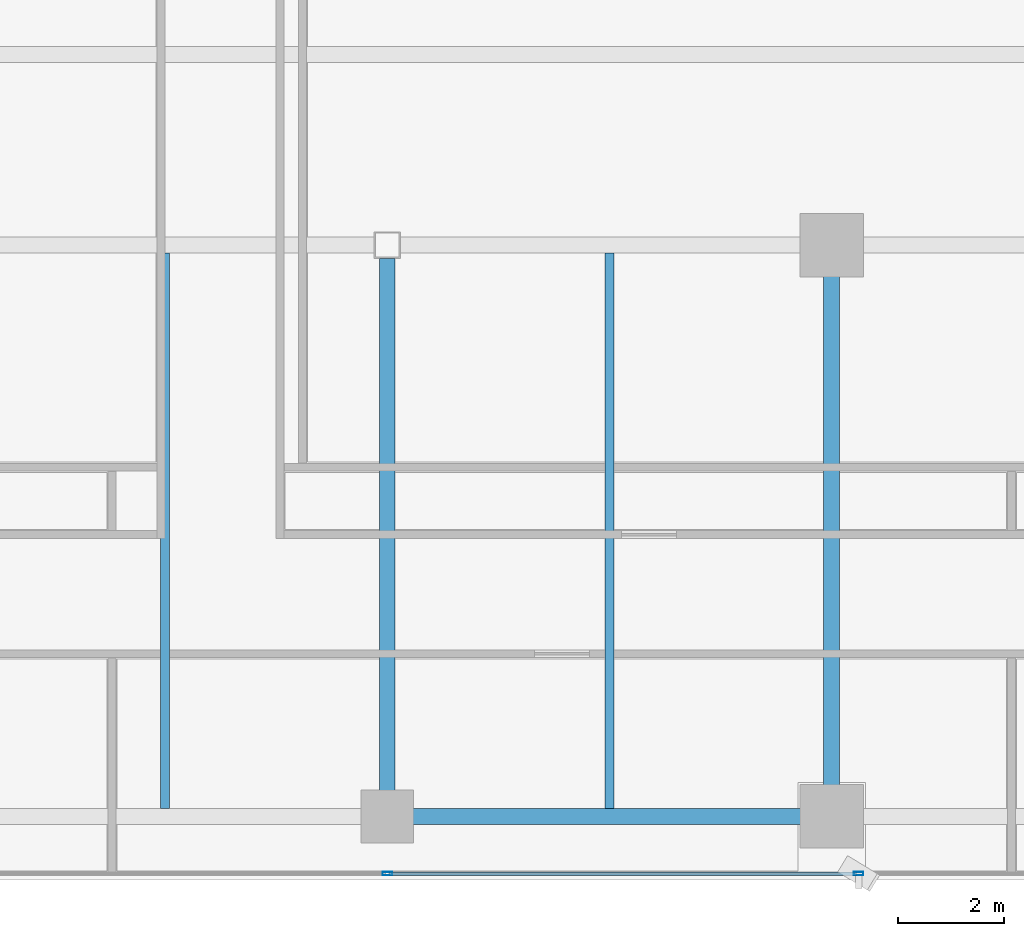
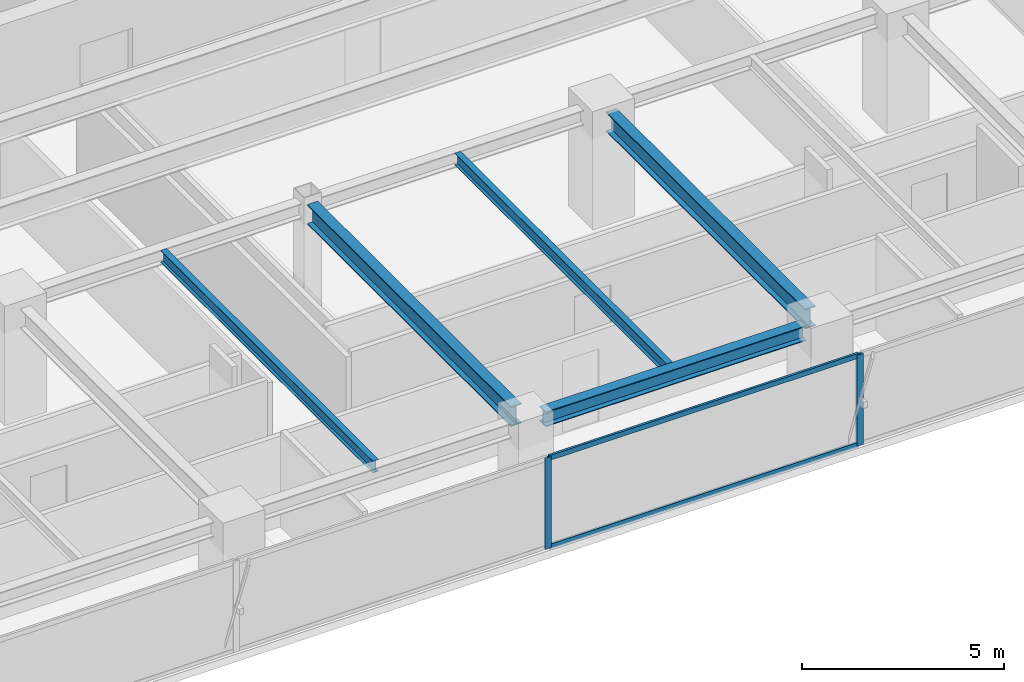
# One storey, part 4 of 22: 5 beams, 4 members, 1 element without a shape of its own.
"""IFC4 building model written with IfcOpenShell, lengths in metres."""

from ifc_helpers import new_model, si_unit, direction, frame, origin, origin_2d, place, context, subcontext, project, spatial, hollow_rectangle, i_section, extrude, source, transform, mapped, material, layer, layer_set, material_profile, profile_set, type_object, element, aggregate, save


model = new_model("IFC4")

# Units and contexts
model_context = context("Model", 3, precision=1e-05, world=origin(), true_north=direction((0.0, 1.0)))
body_context = subcontext(model_context, "Body", "Model", "MODEL_VIEW")
ifc_project = project(units=[si_unit("LENGTHUNIT", "METRE"), si_unit("AREAUNIT", "SQUARE_METRE"), si_unit("VOLUMEUNIT", "CUBIC_METRE"), si_unit("PLANEANGLEUNIT", "RADIAN"), si_unit("MASSUNIT", "GRAM", prefix="KILO")], contexts=[model_context])

# Site, building, storey
site_placement = place(None, origin())
site = spatial("IfcSite", under=ifc_project, at=site_placement, CompositionType="ELEMENT")
building_placement = place(site_placement, origin())
building = spatial("IfcBuilding", under=site, at=building_placement, Name="Sumidabori Civic Tower", CompositionType="ELEMENT")
storey_placement = place(building_placement, frame((0.0, 0.0, 279.199951171875)))
storey = spatial("IfcBuildingStorey", under=building, at=storey_placement, Name="L73", CompositionType="ELEMENT", Elevation=279.199951171875)

# Beams
ifc_material_1 = material(Name="Steel SN490", Category="steel")
ifc_material_profile_1 = material_profile(ifc_material_1, i_section(OverallWidth=0.300048828125, OverallDepth=0.60009765625, WebThickness=0.015380859375, FlangeThickness=0.030029296875, at=origin_2d()), Name="HE 600 B")
ifc_profile_set_1 = profile_set([ifc_material_profile_1], Name="Steel SN490")
beam_type_1 = type_object("IfcBeamType", Name="BM-GIRD-600", PredefinedType="BEAM", material=ifc_profile_set_1)
shared_shape_1 = source(origin(), body_context, "Body", "SweptSolid", [
    extrude(i_section(OverallWidth=0.300048828125, OverallDepth=0.60009765625, WebThickness=0.015380859375, FlangeThickness=0.030029296875, at=origin_2d()), origin(), (0.0, 0.0, 1.0), 9.840087890625),
])
beam_1_placement = place(storey_placement, frame((8.39990234375, -10.320068359375, 3.070068359375), z_axis=(0.0, 1.0, 0.0), x_axis=(-1.0, 0.0, 0.0)))
element("IfcBeam", 1, at=beam_1_placement, inside=storey, type_object=beam_type_1, Name="Primary Girder L73 GY-14", PredefinedType="BEAM", context=body_context, shape_type="MappedRepresentation", body=[
    mapped(shared_shape_1, transform((0.0, 0.0, 0.0), x_axis=(1.0, 0.0, 0.0), y_axis=(0.0, 1.0, 0.0), z_axis=(0.0, 0.0, 1.0), scale=1.0)),
])
ifc_material_profile_2 = material_profile(ifc_material_1, i_section(OverallWidth=0.300048828125, OverallDepth=0.449951171875, WebThickness=0.013916015625, FlangeThickness=0.02587890625, at=origin_2d()), Name="HE 450 B")
ifc_profile_set_2 = profile_set([ifc_material_profile_2], Name="Steel SN490")
beam_type_2 = type_object("IfcBeamType", Name="BM-GIRD-450", PredefinedType="BEAM", material=ifc_profile_set_2)
shared_shape_2 = source(origin(), body_context, "Body", "SweptSolid", [
    extrude(i_section(OverallWidth=0.300048828125, OverallDepth=0.449951171875, WebThickness=0.013916015625, FlangeThickness=0.02587890625, at=origin_2d()), origin(), (0.0, 0.0, 1.0), 7.43994140625),
])
beam_2_placement = place(storey_placement, frame((0.47998046875, -10.800048828125, 3.14501953125), z_axis=(1.0, 0.0, 0.0), x_axis=(0.0, 1.0, 0.0)))
element("IfcBeam", 2, at=beam_2_placement, inside=storey, type_object=beam_type_2, Name="Primary Girder L73 GX-03", PredefinedType="BEAM", context=body_context, shape_type="MappedRepresentation", body=[
    mapped(shared_shape_2, transform((0.0, 0.0, 0.0), x_axis=(1.0, 0.0, 0.0), y_axis=(0.0, 1.0, 0.0), z_axis=(0.0, 0.0, 1.0), scale=1.0)),
])
shared_shape_3 = source(origin(), body_context, "Body", "SweptSolid", [
    extrude(i_section(OverallWidth=0.300048828125, OverallDepth=0.60009765625, WebThickness=0.015380859375, FlangeThickness=0.030029296875, at=origin_2d()), origin(), (0.0, 0.0, 1.0), 10.070068359375),
])
beam_3_placement = place(storey_placement, frame((0.0, -10.320068359375, 3.070068359375), z_axis=(0.0, 1.0, 0.0), x_axis=(-1.0, 0.0, 0.0)))
element("IfcBeam", 3, at=beam_3_placement, inside=storey, type_object=beam_type_1, Name="Primary Girder L73 GY-13", PredefinedType="BEAM", context=body_context, shape_type="MappedRepresentation", body=[
    mapped(shared_shape_3, transform((0.0, 0.0, 0.0), x_axis=(1.0, 0.0, 0.0), y_axis=(0.0, 1.0, 0.0), z_axis=(0.0, 0.0, 1.0), scale=1.0)),
])
ifc_material_profile_3 = material_profile(ifc_material_1, i_section(OverallWidth=0.169921875, OverallDepth=0.360107421875, WebThickness=0.008056640625, FlangeThickness=0.0126953125, at=origin_2d()), Name="IPE 360")
ifc_profile_set_3 = profile_set([ifc_material_profile_3], Name="Steel SN490")
beam_type_3 = type_object("IfcBeamType", Name="BM-JST-360", PredefinedType="JOIST", material=ifc_profile_set_3)
shared_shape_4 = source(origin(), body_context, "Body", "SweptSolid", [
    extrude(i_section(OverallWidth=0.169921875, OverallDepth=0.360107421875, WebThickness=0.008056640625, FlangeThickness=0.0126953125, at=origin_2d()), origin(), (0.0, 0.0, 1.0), 10.5),
])
for number, where, z_axis, x_axis, name in (
    (4, (-4.199951171875, -10.64990234375, 3.18994140625), (0.0, 1.0, 0.0), (-1.0, 0.0, 0.0), "Upper Lens N-S Floor Joist L73 JSTV-25"),
    (5, (4.199951171875, -10.64990234375, 3.18994140625), (0.0, 1.0, 0.0), (-1.0, 0.0, 0.0), "Upper Lens N-S Floor Joist L73 JSTV-26"),
):
    element("IfcBeam", number, at=place(storey_placement, frame(where, z_axis=z_axis, x_axis=x_axis)), inside=storey, type_object=beam_type_3, Name=name, PredefinedType="JOIST", context=body_context, shape_type="MappedRepresentation", body=[
        mapped(shared_shape_4, transform((0.0, 0.0, 0.0), x_axis=(1.0, 0.0, 0.0), y_axis=(0.0, 1.0, 0.0), z_axis=(0.0, 0.0, 1.0), scale=1.0)),
    ])

# Curtain wall, members
ifc_material_2 = material(Name="Anodised Bronze Aluminium AW-6063-T6", Category="aluminium")
ifc_layer = layer(ifc_material_2, 0.179931640625, Name="Anodised Bronze Aluminium AW-6063-T6")
ifc_layer_set = layer_set([ifc_layer], Name="Anodised Bronze Aluminium AW-6063-T6")
curtain_wall_type = type_object("IfcCurtainWallType", Name="CW-SYS-6", PredefinedType="NOTDEFINED", material=ifc_layer_set)
curtain_wall_placement = place(storey_placement, origin())
curtain_wall = element("IfcCurtainWall", 6, at=curtain_wall_placement, inside=storey, type_object=curtain_wall_type, Name="Curtain Wall CW:L73:R01", PredefinedType="NOTDEFINED")
ifc_material_profile_4 = material_profile(ifc_material_2, hollow_rectangle(XDim=0.070068359375, YDim=0.179931640625, WallThickness=0.006103515625, at=origin_2d()), Name="ALU MULLION 180x70")
ifc_profile_set_4 = profile_set([ifc_material_profile_4], Name="Anodised Bronze Aluminium AW-6063-T6")
member_type_1 = type_object("IfcMemberType", Name="CW-MUL-180", PredefinedType="MULLION", material=ifc_profile_set_4)
shared_shape_5 = source(origin(), body_context, "Body", "SweptSolid", [
    extrude(hollow_rectangle(XDim=0.070068359375, YDim=0.179931640625, WallThickness=0.006103515625, at=origin_2d()), origin(), (0.0, 0.0, 1.0), 2.75),
])
member_1_placement = place(storey_placement, frame((0.0, -11.8798828125, 0.0), z_axis=(0.0, 0.0, 1.0), x_axis=(0.0, 1.0, 0.0)))
member_1 = element("IfcMember", 7, at=member_1_placement, type_object=member_type_1, Name="CW-6 mullion 3", PredefinedType="MULLION", context=body_context, shape_type="MappedRepresentation", body=[
    mapped(shared_shape_5, transform((0.0, 0.0, 0.0), x_axis=(1.0, 0.0, 0.0), y_axis=(0.0, 1.0, 0.0), z_axis=(0.0, 0.0, 1.0), scale=1.0)),
])
member_2_placement = place(storey_placement, frame((8.909912109375, -11.8798828125, 0.0), z_axis=(0.0, 0.0, 1.0), x_axis=(0.0, 1.0, 0.0)))
member_2 = element("IfcMember", 8, at=member_2_placement, type_object=member_type_1, Name="CW-6 mullion 4", PredefinedType="MULLION", context=body_context, shape_type="MappedRepresentation", body=[
    mapped(shared_shape_5, transform((0.0, 0.0, 0.0), x_axis=(1.0, 0.0, 0.0), y_axis=(0.0, 1.0, 0.0), z_axis=(0.0, 0.0, 1.0), scale=1.0)),
])
ifc_material_profile_5 = material_profile(ifc_material_2, hollow_rectangle(XDim=0.06494140625, YDim=0.14990234375, WallThickness=0.0048828125, at=origin_2d()), Name="ALU TRANSOM 150x65")
ifc_profile_set_5 = profile_set([ifc_material_profile_5], Name="Anodised Bronze Aluminium AW-6063-T6")
member_type_2 = type_object("IfcMemberType", Name="CW-TRN-150", PredefinedType="USERDEFINED", material=ifc_profile_set_5)
shared_shape_6 = source(origin(), body_context, "Body", "SweptSolid", [
    extrude(hollow_rectangle(XDim=0.06494140625, YDim=0.14990234375, WallThickness=0.0048828125, at=origin_2d()), origin(), (0.0, 0.0, 1.0), 8.840087890625),
])
member_3_placement = place(storey_placement, frame((0.034912109375, -11.8798828125, 0.032470703125), z_axis=(1.0, 0.0, 0.0), x_axis=(0.0, 1.0, 0.0)))
member_3 = element("IfcMember", 9, at=member_3_placement, type_object=member_type_2, Name="CW-6 transom 3.1", ObjectType="TRANSOM", PredefinedType="USERDEFINED", context=body_context, shape_type="MappedRepresentation", body=[
    mapped(shared_shape_6, transform((0.0, 0.0, 0.0), x_axis=(1.0, 0.0, 0.0), y_axis=(0.0, 1.0, 0.0), z_axis=(0.0, 0.0, 1.0), scale=1.0)),
])
member_4_placement = place(storey_placement, frame((0.034912109375, -11.8798828125, 2.717529296875), z_axis=(1.0, 0.0, 0.0), x_axis=(0.0, 1.0, 0.0)))
member_4 = element("IfcMember", 10, at=member_4_placement, type_object=member_type_2, Name="CW-6 transom 3.2", ObjectType="TRANSOM", PredefinedType="USERDEFINED", context=body_context, shape_type="MappedRepresentation", body=[
    mapped(shared_shape_6, transform((0.0, 0.0, 0.0), x_axis=(1.0, 0.0, 0.0), y_axis=(0.0, 1.0, 0.0), z_axis=(0.0, 0.0, 1.0), scale=1.0)),
])
aggregate(curtain_wall, [member_1, member_2, member_3, member_4])

save(model, "model.ifc")
